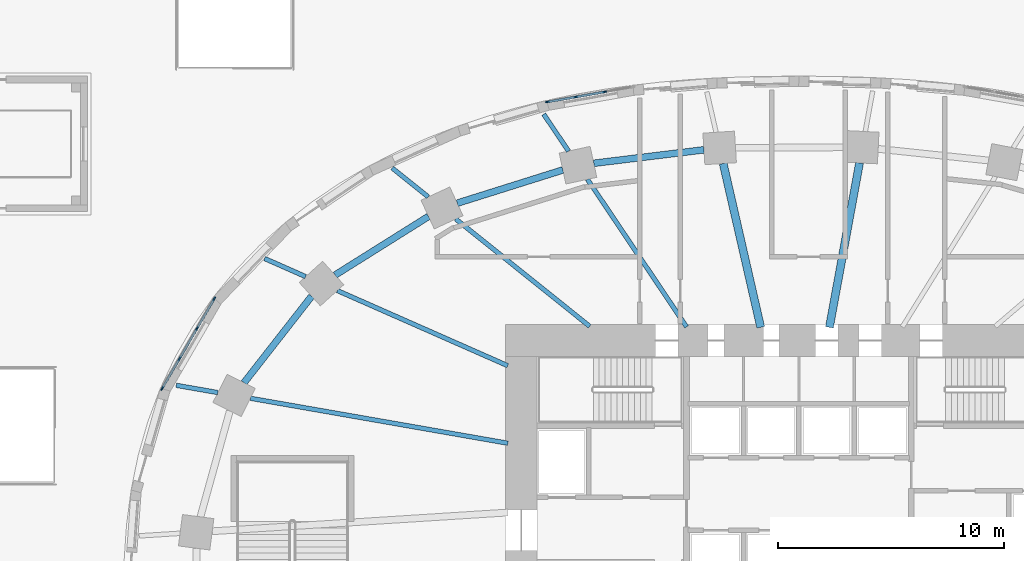
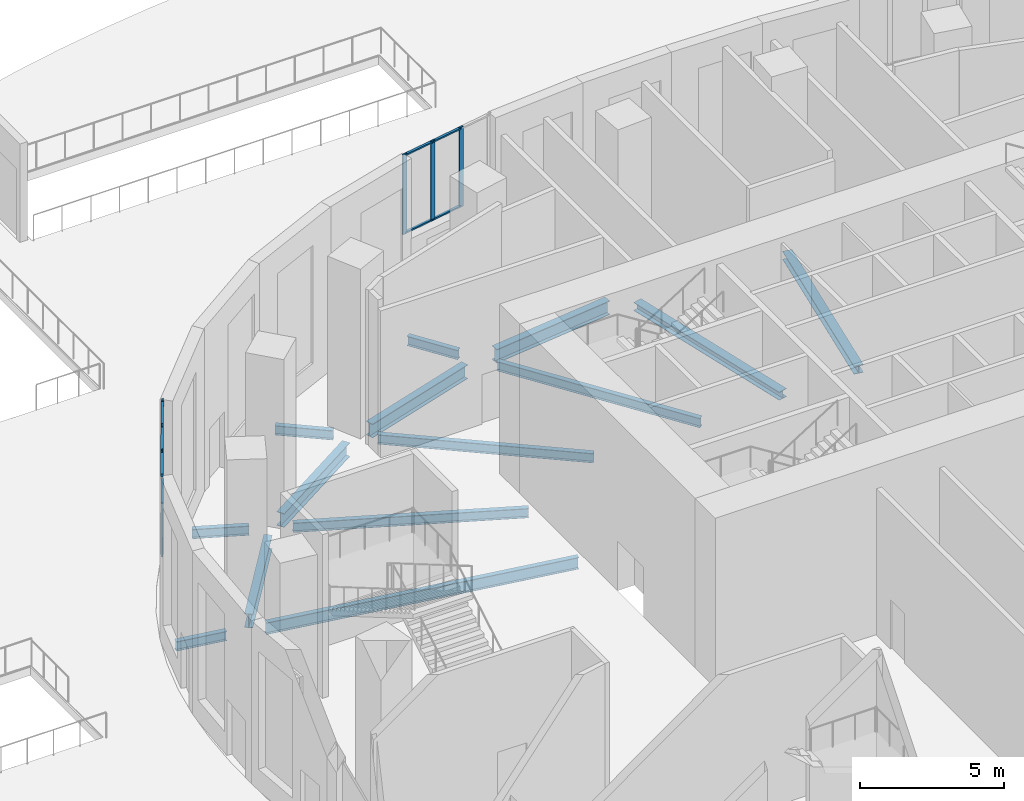
# One storey, part 5 of 27: 17 members, 14 beams, 2 elements without a shape of their own.
"""IFC4 building model written with IfcOpenShell, lengths in metres."""

from ifc_helpers import new_model, si_unit, direction, frame, origin, origin_2d, place, context, subcontext, project, spatial, rectangle, i_section, extrude, material, material_profile, profile_set, type_object, element, aggregate, save


model = new_model("IFC4")

# Units and contexts
model_context = context("Model", 3, precision=1e-05, world=origin(), true_north=direction((0.0, 1.0)))
body_context = subcontext(model_context, "Body", "Model", "MODEL_VIEW")
ifc_project = project(units=[si_unit("LENGTHUNIT", "METRE"), si_unit("AREAUNIT", "SQUARE_METRE"), si_unit("VOLUMEUNIT", "CUBIC_METRE"), si_unit("PLANEANGLEUNIT", "RADIAN"), si_unit("MASSUNIT", "GRAM", prefix="KILO")], contexts=[model_context])

# Site, building, storey
site_placement = place(None, origin())
site = spatial("IfcSite", under=ifc_project, at=site_placement, CompositionType="ELEMENT")
building_placement = place(site_placement, origin())
building = spatial("IfcBuilding", under=site, at=building_placement, Name="Rubra Terraces Tower", CompositionType="ELEMENT")
storey_placement = place(building_placement, origin())
storey = spatial("IfcBuildingStorey", under=building, at=storey_placement, Name="L00", CompositionType="ELEMENT", Elevation=0.0)

# Beams
ifc_material_1 = material(Name="Steel Q355B", Category="steel")
ifc_material_profile_1 = material_profile(ifc_material_1, i_section(OverallWidth=0.199951171875, OverallDepth=0.39990234375, WebThickness=0.008056640625, FlangeThickness=0.012939453125, at=origin_2d()), Name="HN 400x200x8x13")
ifc_profile_set_1 = profile_set([ifc_material_profile_1], Name="Steel Q355B")
beam_type_1 = type_object("IfcBeamType", Name="CANTILEVER BEAM HN 400x200x8x13", PredefinedType="BEAM", material=ifc_profile_set_1)
beam_1_placement = place(storey_placement, frame((-10.199951171875, 19.68310546875, -0.550048828125), z_axis=(-0.557732327532, 0.830020873729, 0.0), x_axis=(-0.830020873729, -0.557732327532, 0.0)))
element("IfcBeam", 1, at=beam_1_placement, inside=storey, type_object=beam_type_1, Name="beam-L00-cant-08", PredefinedType="BEAM", context=body_context, shape_type="SweptSolid", body=[
    extrude(i_section(OverallWidth=0.199951171875, OverallDepth=0.39990234375, WebThickness=0.008056640625, FlangeThickness=0.012939453125, at=origin_2d()), origin(), (0.0, 0.0, 1.0), 1.96728515625),
])
beam_2_placement = place(storey_placement, frame((-16.408935546875, 17.654052734375, -0.550048828125), z_axis=(-0.780088162003, 0.625669608901, 0.0), x_axis=(-0.625669608901, -0.780088162003, 0.0)))
element("IfcBeam", 2, at=beam_2_placement, inside=storey, type_object=beam_type_1, Name="beam-L00-cant-09", PredefinedType="BEAM", context=body_context, shape_type="SweptSolid", body=[
    extrude(i_section(OverallWidth=0.199951171875, OverallDepth=0.39990234375, WebThickness=0.008056640625, FlangeThickness=0.012939453125, at=origin_2d()), origin(), (0.0, 0.0, 1.0), 2.0458984375),
])
beam_3_placement = place(storey_placement, frame((-21.8369140625, 14.1259765625, -0.550048828125), z_axis=(-0.914937817451, 0.403594834205, 0.0), x_axis=(-0.403594834205, -0.914937817451, 0.0)))
element("IfcBeam", 3, at=beam_3_placement, inside=storey, type_object=beam_type_1, Name="beam-L00-cant-10", PredefinedType="BEAM", context=body_context, shape_type="SweptSolid", body=[
    extrude(i_section(OverallWidth=0.199951171875, OverallDepth=0.39990234375, WebThickness=0.008056640625, FlangeThickness=0.012939453125, at=origin_2d()), origin(), (0.0, 0.0, 1.0), 1.987060546875),
])
beam_4_placement = place(storey_placement, frame((-25.722900390625, 8.991943359375, -0.550048828125), z_axis=(-0.985091859612, 0.172029149057, 0.0), x_axis=(-0.172029149057, -0.985091859612, 0.0)))
element("IfcBeam", 4, at=beam_4_placement, inside=storey, type_object=beam_type_1, Name="beam-L00-cant-11", PredefinedType="BEAM", context=body_context, shape_type="SweptSolid", body=[
    extrude(i_section(OverallWidth=0.199951171875, OverallDepth=0.39990234375, WebThickness=0.008056640625, FlangeThickness=0.012939453125, at=origin_2d()), origin(), (0.0, 0.0, 1.0), 1.871826171875),
])

# Curtain wall, members
ifc_material_2 = material(Name="Aluminium and glass", Category="aluminium")
curtain_wall_type = type_object("IfcCurtainWallType", Name="Curtain wall Entrance screen glazing", PredefinedType="NOTDEFINED", material=ifc_material_2)
curtain_wall_1_placement = place(storey_placement, origin())
curtain_wall_1 = element("IfcCurtainWall", 5, at=curtain_wall_1_placement, inside=storey, type_object=curtain_wall_type, Name="L00 entrance screen bay 13", PredefinedType="NOTDEFINED")
ifc_material_3 = material(Name="Aluminium, anodised dark grey", Category="aluminium")
ifc_material_profile_2 = material_profile(ifc_material_3, rectangle(XDim=0.06005859375, YDim=0.179931640625, at=origin_2d()), Name="AL 60x180")
ifc_profile_set_2 = profile_set([ifc_material_profile_2], Name="Aluminium, anodised dark grey")
member_type_1 = type_object("IfcMemberType", Name="Entrance screen glazing mullion 60 x 180", PredefinedType="MULLION", material=ifc_profile_set_2)
member_1_placement = place(storey_placement, frame((-8.606689453125, 22.302001953125, 3.550048828125), z_axis=(0.0, 0.0, 1.0), x_axis=(0.172816985997, -0.984953952909, 0.0)))
member_1 = element("IfcMember", 6, at=member_1_placement, type_object=member_type_1, Name="CW5 mullion 2", PredefinedType="MULLION", context=body_context, shape_type="SweptSolid", body=[
    extrude(rectangle(XDim=0.06005859375, YDim=0.179931640625, at=origin_2d()), origin(), (0.0, 0.0, 1.0), 3.39990234375),
])
member_2_placement = place(storey_placement, frame((-9.88330078125, 22.078125, 3.550048828125), z_axis=(0.0, 0.0, 1.0), x_axis=(0.172816985997, -0.984953952909, 0.0)))
member_2 = element("IfcMember", 7, at=member_2_placement, type_object=member_type_1, Name="CW5 mullion 3", PredefinedType="MULLION", context=body_context, shape_type="SweptSolid", body=[
    extrude(rectangle(XDim=0.06005859375, YDim=0.179931640625, at=origin_2d()), origin(), (0.0, 0.0, 1.0), 3.39990234375),
])
member_3_placement = place(storey_placement, frame((-11.13037109375, 21.859375, 3.550048828125), z_axis=(0.0, 0.0, 1.0), x_axis=(0.172816985997, -0.984953952909, 0.0)))
member_3 = element("IfcMember", 8, at=member_3_placement, type_object=member_type_1, Name="CW5 mullion 4", PredefinedType="MULLION", context=body_context, shape_type="SweptSolid", body=[
    extrude(rectangle(XDim=0.06005859375, YDim=0.179931640625, at=origin_2d()), origin(), (0.0, 0.0, 1.0), 3.39990234375),
])

curtain_wall_2_placement = place(storey_placement, origin())
curtain_wall_2 = element("IfcCurtainWall", 9, at=curtain_wall_2_placement, inside=storey, type_object=curtain_wall_type, Name="L00 entrance screen bay 18", PredefinedType="NOTDEFINED")
member_4_placement = place(storey_placement, frame((-25.880126953125, 13.1484375, 3.550048828125), z_axis=(0.0, 0.0, 1.0), x_axis=(0.864813011398, -0.502094070187, 0.0)))
member_4 = element("IfcMember", 10, at=member_4_placement, type_object=member_type_1, Name="CW5 mullion 1", PredefinedType="MULLION", context=body_context, shape_type="SweptSolid", body=[
    extrude(rectangle(XDim=0.06005859375, YDim=0.179931640625, at=origin_2d()), origin(), (0.0, 0.0, 1.0), 3.39990234375),
])
member_5_placement = place(storey_placement, frame((-26.64453125, 11.83203125, 3.550048828125), z_axis=(0.0, 0.0, 1.0), x_axis=(0.864813011398, -0.502094070187, 0.0)))
member_5 = element("IfcMember", 11, at=member_5_placement, type_object=member_type_1, Name="CW5 mullion 2", PredefinedType="MULLION", context=body_context, shape_type="SweptSolid", body=[
    extrude(rectangle(XDim=0.06005859375, YDim=0.179931640625, at=origin_2d()), origin(), (0.0, 0.0, 1.0), 3.39990234375),
])
member_6_placement = place(storey_placement, frame((-27.423828125, 10.48974609375, 3.550048828125), z_axis=(0.0, 0.0, 1.0), x_axis=(0.864813011398, -0.502094070187, 0.0)))
member_6 = element("IfcMember", 12, at=member_6_placement, type_object=member_type_1, Name="CW5 mullion 3", PredefinedType="MULLION", context=body_context, shape_type="SweptSolid", body=[
    extrude(rectangle(XDim=0.06005859375, YDim=0.179931640625, at=origin_2d()), origin(), (0.0, 0.0, 1.0), 3.39990234375),
])
member_7_placement = place(storey_placement, frame((-28.18798828125, 9.17333984375, 3.550048828125), z_axis=(0.0, 0.0, 1.0), x_axis=(0.864813011398, -0.502094070187, 0.0)))
member_7 = element("IfcMember", 13, at=member_7_placement, type_object=member_type_1, Name="CW5 mullion 4", PredefinedType="MULLION", context=body_context, shape_type="SweptSolid", body=[
    extrude(rectangle(XDim=0.06005859375, YDim=0.179931640625, at=origin_2d()), origin(), (0.0, 0.0, 1.0), 3.39990234375),
])

# Member
ifc_material_profile_3 = material_profile(ifc_material_3, rectangle(XDim=0.10009765625, YDim=0.06005859375, at=origin_2d()), Name="AL 100x60")
ifc_profile_set_3 = profile_set([ifc_material_profile_3], Name="Aluminium, anodised dark grey")
member_type_2 = type_object("IfcMemberType", Name="Entrance screen glazing transom 100 x 60", PredefinedType="USERDEFINED", material=ifc_profile_set_3)
member_8_placement = place(storey_placement, frame((-8.63623046875, 22.296875, 3.60009765625), z_axis=(-0.984954075797, -0.172816285607, 0.0), x_axis=(0.172816285607, -0.984954075797, 0.0)))
member_8 = element("IfcMember", 14, at=member_8_placement, type_object=member_type_2, Name="CW5 transom 2.1", ObjectType="TRANSOM", PredefinedType="USERDEFINED", context=body_context, shape_type="SweptSolid", body=[
    extrude(rectangle(XDim=0.10009765625, YDim=0.06005859375, at=origin_2d()), origin(), (0.0, 0.0, 1.0), 1.236083984375),
])

member_9_placement = place(storey_placement, frame((-8.63623046875, 22.296875, 6.89990234375), z_axis=(-0.984954075797, -0.172816285607, 0.0), x_axis=(0.172816285607, -0.984954075797, 0.0)))
member_9 = element("IfcMember", 15, at=member_9_placement, type_object=member_type_2, Name="CW5 transom 2.2", ObjectType="TRANSOM", PredefinedType="USERDEFINED", context=body_context, shape_type="SweptSolid", body=[
    extrude(rectangle(XDim=0.10009765625, YDim=0.06005859375, at=origin_2d()), origin(), (0.0, 0.0, 1.0), 1.236083984375),
])

member_10_placement = place(storey_placement, frame((-9.912841796875, 22.072998046875, 3.60009765625), z_axis=(-0.984946143475, -0.172861489216, 0.0), x_axis=(0.172861489216, -0.984946143475, 0.0)))
member_10 = element("IfcMember", 16, at=member_10_placement, type_object=member_type_2, Name="CW5 transom 3.1", ObjectType="TRANSOM", PredefinedType="USERDEFINED", context=body_context, shape_type="SweptSolid", body=[
    extrude(rectangle(XDim=0.10009765625, YDim=0.06005859375, at=origin_2d()), origin(), (0.0, 0.0, 1.0), 1.2060546875),
])

member_11_placement = place(storey_placement, frame((-9.912841796875, 22.072998046875, 6.89990234375), z_axis=(-0.984946143475, -0.172861489216, 0.0), x_axis=(0.172861489216, -0.984946143475, 0.0)))
member_11 = element("IfcMember", 17, at=member_11_placement, type_object=member_type_2, Name="CW5 transom 3.2", ObjectType="TRANSOM", PredefinedType="USERDEFINED", context=body_context, shape_type="SweptSolid", body=[
    extrude(rectangle(XDim=0.10009765625, YDim=0.06005859375, at=origin_2d()), origin(), (0.0, 0.0, 1.0), 1.2060546875),
])

aggregate(curtain_wall_1, [member_1, member_2, member_3, member_8, member_9, member_10, member_11])

member_12_placement = place(storey_placement, frame((-25.895263671875, 13.122314453125, 3.60009765625), z_axis=(-0.502115375433, -0.864800641625, 0.0), x_axis=(0.864800641625, -0.502115375433, 0.0)))
member_12 = element("IfcMember", 18, at=member_12_placement, type_object=member_type_2, Name="CW5 transom 1.1", ObjectType="TRANSOM", PredefinedType="USERDEFINED", context=body_context, shape_type="SweptSolid", body=[
    extrude(rectangle(XDim=0.10009765625, YDim=0.06005859375, at=origin_2d()), origin(), (0.0, 0.0, 1.0), 1.462158203125),
])

member_13_placement = place(storey_placement, frame((-25.895263671875, 13.122314453125, 6.89990234375), z_axis=(-0.502115375433, -0.864800641625, 0.0), x_axis=(0.864800641625, -0.502115375433, 0.0)))
member_13 = element("IfcMember", 19, at=member_13_placement, type_object=member_type_2, Name="CW5 transom 1.2", ObjectType="TRANSOM", PredefinedType="USERDEFINED", context=body_context, shape_type="SweptSolid", body=[
    extrude(rectangle(XDim=0.10009765625, YDim=0.06005859375, at=origin_2d()), origin(), (0.0, 0.0, 1.0), 1.462158203125),
])

member_14_placement = place(storey_placement, frame((-26.659423828125, 11.805908203125, 3.60009765625), z_axis=(-0.502171043743, -0.864768317427, 0.0), x_axis=(0.864768317427, -0.502171043743, 0.0)))
member_14 = element("IfcMember", 20, at=member_14_placement, type_object=member_type_2, Name="CW5 transom 2.1", ObjectType="TRANSOM", PredefinedType="USERDEFINED", context=body_context, shape_type="SweptSolid", body=[
    extrude(rectangle(XDim=0.10009765625, YDim=0.06005859375, at=origin_2d()), origin(), (0.0, 0.0, 1.0), 1.491943359375),
])

member_15_placement = place(storey_placement, frame((-26.659423828125, 11.805908203125, 6.89990234375), z_axis=(-0.502171043743, -0.864768317427, 0.0), x_axis=(0.864768317427, -0.502171043743, 0.0)))
member_15 = element("IfcMember", 21, at=member_15_placement, type_object=member_type_2, Name="CW5 transom 2.2", ObjectType="TRANSOM", PredefinedType="USERDEFINED", context=body_context, shape_type="SweptSolid", body=[
    extrude(rectangle(XDim=0.10009765625, YDim=0.06005859375, at=origin_2d()), origin(), (0.0, 0.0, 1.0), 1.491943359375),
])

member_16_placement = place(storey_placement, frame((-27.438720703125, 10.463623046875, 3.60009765625), z_axis=(-0.502240242375, -0.864728130073, 0.0), x_axis=(0.864728130073, -0.502240242375, 0.0)))
member_16 = element("IfcMember", 22, at=member_16_placement, type_object=member_type_2, Name="CW5 transom 3.1", ObjectType="TRANSOM", PredefinedType="USERDEFINED", context=body_context, shape_type="SweptSolid", body=[
    extrude(rectangle(XDim=0.10009765625, YDim=0.06005859375, at=origin_2d()), origin(), (0.0, 0.0, 1.0), 1.462158203125),
])

member_17_placement = place(storey_placement, frame((-27.438720703125, 10.463623046875, 6.89990234375), z_axis=(-0.502240242375, -0.864728130073, 0.0), x_axis=(0.864728130073, -0.502240242375, 0.0)))
member_17 = element("IfcMember", 23, at=member_17_placement, type_object=member_type_2, Name="CW5 transom 3.2", ObjectType="TRANSOM", PredefinedType="USERDEFINED", context=body_context, shape_type="SweptSolid", body=[
    extrude(rectangle(XDim=0.10009765625, YDim=0.06005859375, at=origin_2d()), origin(), (0.0, 0.0, 1.0), 1.462158203125),
])

aggregate(curtain_wall_2, [member_4, member_5, member_6, member_7, member_12, member_13, member_14, member_15, member_16, member_17])

# Beams
ifc_material_profile_4 = material_profile(ifc_material_1, i_section(OverallWidth=0.199951171875, OverallDepth=0.39990234375, WebThickness=0.008056640625, FlangeThickness=0.012939453125, at=origin_2d()), Name="HN 400x200x8x13")
ifc_profile_set_4 = profile_set([ifc_material_profile_4], Name="Steel Q355B")
beam_type_2 = type_object("IfcBeamType", Name="FLOOR BEAM HN 400x200x8x13", PredefinedType="BEAM", material=ifc_profile_set_4)
beam_5_placement = place(storey_placement, frame((-9.360107421875, 18.43310546875, -0.550048828125), z_axis=(0.557574689395, -0.830126776912, 0.0), x_axis=(0.830126776912, 0.557574689395, 0.0)))
element("IfcBeam", 24, at=beam_5_placement, inside=storey, type_object=beam_type_2, Name="beam-L00-floor-08", PredefinedType="BEAM", context=body_context, shape_type="SweptSolid", body=[
    extrude(i_section(OverallWidth=0.199951171875, OverallDepth=0.39990234375, WebThickness=0.008056640625, FlangeThickness=0.012939453125, at=origin_2d()), origin(), (0.0, 0.0, 1.0), 7.8701171875),
])
beam_6_placement = place(storey_placement, frame((-15.18896484375, 16.676025390625, -0.550048828125), z_axis=(0.780266406942, -0.625447307291, 0.0), x_axis=(0.625447307291, 0.780266406942, 0.0)))
element("IfcBeam", 25, at=beam_6_placement, inside=storey, type_object=beam_type_2, Name="beam-L00-floor-09", PredefinedType="BEAM", context=body_context, shape_type="SweptSolid", body=[
    extrude(i_section(OverallWidth=0.199951171875, OverallDepth=0.39990234375, WebThickness=0.008056640625, FlangeThickness=0.012939453125, at=origin_2d()), origin(), (0.0, 0.0, 1.0), 7.59619140625),
])
beam_7_placement = place(storey_placement, frame((-20.43310546875, 13.508056640625, -0.550048828125), z_axis=(0.914994662209, -0.4034659442, 0.0), x_axis=(0.4034659442, 0.914994662209, 0.0)))
element("IfcBeam", 26, at=beam_7_placement, inside=storey, type_object=beam_type_2, Name="beam-L00-floor-10", PredefinedType="BEAM", context=body_context, shape_type="SweptSolid", body=[
    extrude(i_section(OverallWidth=0.199951171875, OverallDepth=0.39990234375, WebThickness=0.008056640625, FlangeThickness=0.012939453125, at=origin_2d()), origin(), (0.0, 0.0, 1.0), 8.243896484375),
])
ifc_material_profile_5 = material_profile(ifc_material_1, i_section(OverallWidth=0.198974609375, OverallDepth=0.49609375, WebThickness=0.009033203125, FlangeThickness=0.013916015625, at=origin_2d()), Name="HN 496x199x9x14")
ifc_profile_set_5 = profile_set([ifc_material_profile_5], Name="Steel Q355B")
beam_type_3 = type_object("IfcBeamType", Name="FLOOR BEAM HN 496x199x9x14", PredefinedType="BEAM", material=ifc_profile_set_5)
beam_8_placement = place(storey_placement, frame((-24.282958984375, 8.739990234375, -0.597900390625), z_axis=(0.985091834527, -0.172029292701, 0.0), x_axis=(0.172029292701, 0.985091834527, 0.0)))
element("IfcBeam", 27, at=beam_8_placement, inside=storey, type_object=beam_type_3, Name="beam-L00-floor-11", PredefinedType="BEAM", context=body_context, shape_type="SweptSolid", body=[
    extrude(i_section(OverallWidth=0.198974609375, OverallDepth=0.49609375, WebThickness=0.009033203125, FlangeThickness=0.013916015625, at=origin_2d()), origin(), (0.0, 0.0, 1.0), 11.573486328125),
])
ifc_material_profile_6 = material_profile(ifc_material_1, i_section(OverallWidth=0.35009765625, OverallDepth=0.35009765625, WebThickness=0.011962890625, FlangeThickness=0.01904296875, at=origin_2d()), Name="HW 350x350x12x19")
ifc_profile_set_6 = profile_set([ifc_material_profile_6], Name="Steel Q355B")
beam_type_4 = type_object("IfcBeamType", Name="FLOOR BEAM HW 350x350x12x19", PredefinedType="BEAM", material=ifc_profile_set_6)
beam_9_placement = place(storey_placement, frame((2.68408203125, 19.158935546875, -0.52490234375), z_axis=(-0.180186319425, -0.983632497578, 0.0), x_axis=(0.983632497578, -0.180186319425, 0.0)))
element("IfcBeam", 28, at=beam_9_placement, inside=storey, type_object=beam_type_4, Name="beam-L00-floor-06", PredefinedType="BEAM", context=body_context, shape_type="SweptSolid", body=[
    extrude(i_section(OverallWidth=0.35009765625, OverallDepth=0.35009765625, WebThickness=0.011962890625, FlangeThickness=0.01904296875, at=origin_2d()), origin(), (0.0, 0.0, 1.0), 7.39794921875),
])
beam_10_placement = place(storey_placement, frame((-3.35107421875, 19.133056640625, -0.52490234375), z_axis=(0.223209821828, -0.974770421914, 0.0), x_axis=(0.974770421914, 0.223209821828, 0.0)))
element("IfcBeam", 29, at=beam_10_placement, inside=storey, type_object=beam_type_4, Name="beam-L00-floor-07", PredefinedType="BEAM", context=body_context, shape_type="SweptSolid", body=[
    extrude(i_section(OverallWidth=0.35009765625, OverallDepth=0.35009765625, WebThickness=0.011962890625, FlangeThickness=0.01904296875, at=origin_2d()), origin(), (0.0, 0.0, 1.0), 7.437744140625),
])
ifc_material_profile_7 = material_profile(ifc_material_1, i_section(OverallWidth=0.300048828125, OverallDepth=0.587890625, WebThickness=0.011962890625, FlangeThickness=0.02001953125, at=origin_2d()), Name="HM 588x300x12x20")
ifc_profile_set_7 = profile_set([ifc_material_profile_7], Name="Steel Q355B")
beam_type_5 = type_object("IfcBeamType", Name="SPANDREL BEAM HM 588x300x12x20", PredefinedType="SPANDREL", material=ifc_profile_set_7)
beam_11_placement = place(storey_placement, frame((-4.205078125, 19.739013671875, -0.64404296875), z_axis=(-0.992616576014, -0.12129440639, 0.0), x_axis=(0.12129440639, -0.992616576014, 0.0)))
element("IfcBeam", 30, at=beam_11_placement, inside=storey, type_object=beam_type_5, Name="beam-L00-spandrel-07", PredefinedType="SPANDREL", context=body_context, shape_type="SweptSolid", body=[
    extrude(i_section(OverallWidth=0.300048828125, OverallDepth=0.587890625, WebThickness=0.011962890625, FlangeThickness=0.02001953125, at=origin_2d()), origin(), (0.0, 0.0, 1.0), 4.913330078125),
])
beam_12_placement = place(storey_placement, frame((-10.450927734375, 18.846923828125, -0.64404296875), z_axis=(-0.953954624663, -0.299950952796, 0.0), x_axis=(0.299950952796, -0.953954624663, 0.0)))
element("IfcBeam", 31, at=beam_12_placement, inside=storey, type_object=beam_type_5, Name="beam-L00-spandrel-08", PredefinedType="SPANDREL", context=body_context, shape_type="SweptSolid", body=[
    extrude(i_section(OverallWidth=0.300048828125, OverallDepth=0.587890625, WebThickness=0.011962890625, FlangeThickness=0.02001953125, at=origin_2d()), origin(), (0.0, 0.0, 1.0), 4.900634765625),
])
beam_13_placement = place(storey_placement, frame((-16.39697265625, 16.7900390625, -0.64404296875), z_axis=(-0.847078460197, -0.531467856291, 0.0), x_axis=(0.531467856291, -0.847078460197, 0.0)))
element("IfcBeam", 32, at=beam_13_placement, inside=storey, type_object=beam_type_5, Name="beam-L00-spandrel-09", PredefinedType="SPANDREL", context=body_context, shape_type="SweptSolid", body=[
    extrude(i_section(OverallWidth=0.300048828125, OverallDepth=0.587890625, WebThickness=0.011962890625, FlangeThickness=0.02001953125, at=origin_2d()), origin(), (0.0, 0.0, 1.0), 4.882568359375),
])
beam_14_placement = place(storey_placement, frame((-21.572998046875, 13.257080078125, -0.64404296875), z_axis=(-0.615577734286, -0.788076172112, 0.0), x_axis=(0.788076172112, -0.615577734286, 0.0)))
element("IfcBeam", 33, at=beam_14_placement, inside=storey, type_object=beam_type_5, Name="beam-L00-spandrel-10", PredefinedType="SPANDREL", context=body_context, shape_type="SweptSolid", body=[
    extrude(i_section(OverallWidth=0.300048828125, OverallDepth=0.587890625, WebThickness=0.011962890625, FlangeThickness=0.02001953125, at=origin_2d()), origin(), (0.0, 0.0, 1.0), 4.85888671875),
])

save(model, "model.ifc")
